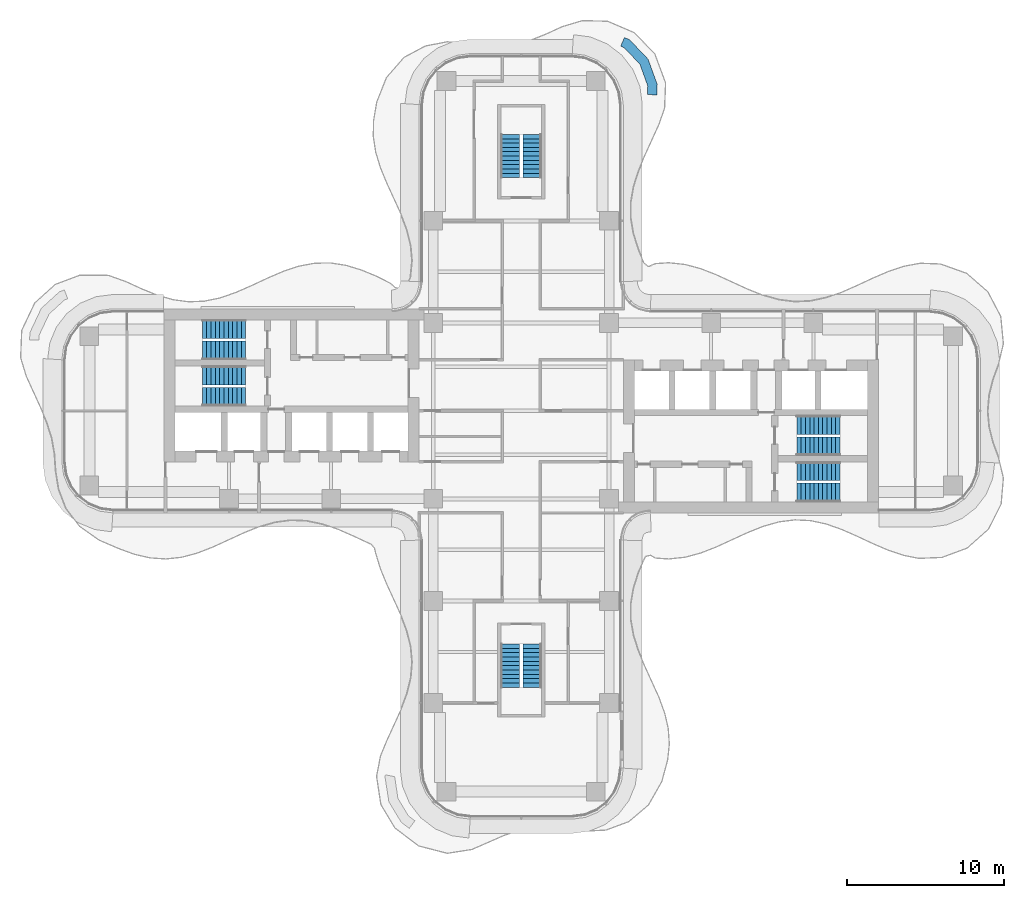
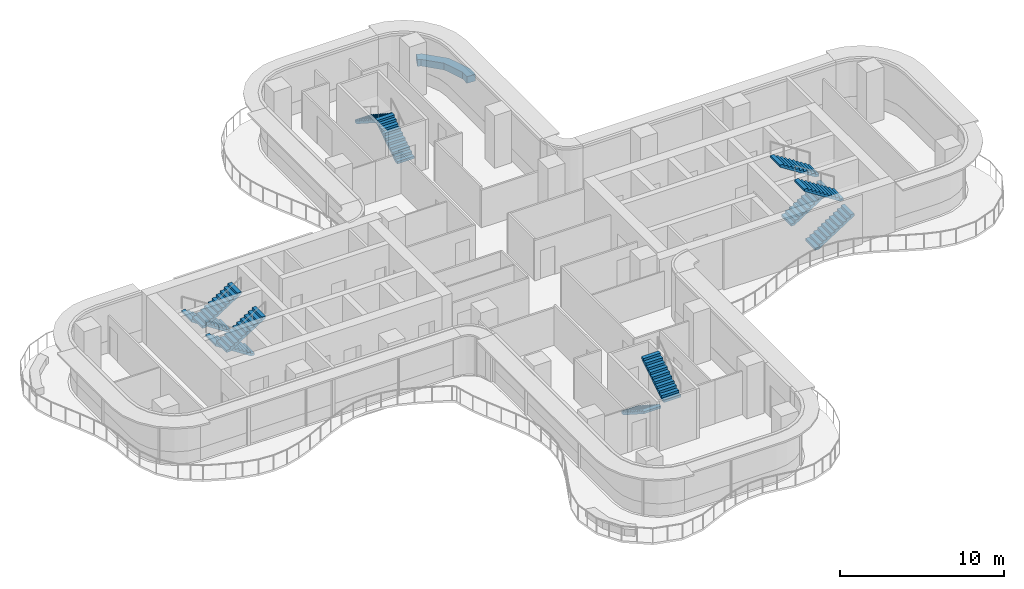
# One storey, part 16 of 18: 12 stair flights, 1 wall, 6 elements without a shape of their own.
"""IFC4 building model written with IfcOpenShell, lengths in metres."""

from ifc_helpers import new_model, si_unit, direction, frame, origin, place, context, subcontext, project, spatial, polyline, outline, extrude, source, transform, mapped, material, layer, layer_set, type_object, element, aggregate, save


model = new_model("IFC4")

# Units and contexts
model_context = context("Model", 3, precision=1e-05, world=origin(), true_north=direction((0.0, 1.0)))
body_context = subcontext(model_context, "Body", "Model", "MODEL_VIEW")
ifc_project = project(units=[si_unit("LENGTHUNIT", "METRE"), si_unit("AREAUNIT", "SQUARE_METRE"), si_unit("VOLUMEUNIT", "CUBIC_METRE"), si_unit("PLANEANGLEUNIT", "RADIAN"), si_unit("MASSUNIT", "GRAM", prefix="KILO")], contexts=[model_context])

# Site, building, storey
site_placement = place(None, origin())
site = spatial("IfcSite", under=ifc_project, at=site_placement, CompositionType="ELEMENT")
building_placement = place(site_placement, origin())
building = spatial("IfcBuilding", under=site, at=building_placement, Name="Trellis Farm Tower", CompositionType="ELEMENT")
storey_placement = place(building_placement, frame((0.0, 0.0, 201.0)))
storey = spatial("IfcBuildingStorey", under=building, at=storey_placement, Name="L44", CompositionType="ELEMENT", Elevation=201.0)

# Wall
ifc_material_1 = material(Name="Sandstone faced masonry planter", Category="masonry")
ifc_layer = layer(ifc_material_1, 0.60009765625)
ifc_layer_set = layer_set([ifc_layer], Name="PLANTER BED 600")
wall_type = type_object("IfcWallType", Name="PLANTER BED 600", PredefinedType="USERDEFINED", material=ifc_layer_set)
placement = place(storey_placement, origin())
element("IfcWall", 1, at=placement, inside=storey, type_object=wall_type, Name="PLANTER bed", ObjectType="PLANTER", PredefinedType="USERDEFINED", context=body_context, shape_type="SweptSolid", body=[
    extrude(outline(polyline([(6.90234375, 23.62890625), (8.08154296875, 22.391845703125), (8.663818359375, 20.77685546875), (8.63330078125, 20.114013671875), (8.0341796875, 20.1416015625), (8.05908203125, 20.685302734375), (7.56005859375, 22.0693359375), (6.551513671875, 23.12744140625), (6.335205078125, 23.221923828125), (6.575439453125, 23.771728515625), (6.90234375, 23.62890625)])), origin(), (0.0, 0.0, 1.0), 0.5),
])

# Stair, stair flights
ifc_material_2 = material(Name="Concrete C50/60", Category="concrete")
stair_type = type_object("IfcStairType", Name="CORE EXIT STAIR 22 RISERS 177 MM", PredefinedType="HALF_TURN_STAIR", material=ifc_material_2)
stair_1 = element("IfcStair", 2, at=placement, inside=storey, type_object=stair_type, Name="Exit stair N", PredefinedType="HALF_TURN_STAIR")
stair_flight_type = type_object("IfcStairFlightType", Name="STAIR FLIGHT 11 RISERS 177 MM", PredefinedType="STRAIGHT", material=ifc_material_2)
shared_shape = source(origin(), body_context, "Body", "SweptSolid", [
    extrude(outline(polyline([(0.0, 0.0), (0.0, 0.17724609375), (0.27490234375, 0.17724609375), (0.27490234375, 0.3544921875), (0.550048828125, 0.3544921875), (0.550048828125, 0.53173828125), (0.824951171875, 0.53173828125), (0.824951171875, 0.708984375), (1.10009765625, 0.708984375), (1.10009765625, 0.886474609375), (1.375, 0.886474609375), (1.375, 1.063720703125), (1.64990234375, 1.063720703125), (1.64990234375, 1.240966796875), (1.925048828125, 1.240966796875), (1.925048828125, 1.418212890625), (2.199951171875, 1.418212890625), (2.199951171875, 1.595458984375), (2.47509765625, 1.595458984375), (2.47509765625, 1.772705078125), (2.75, 1.772705078125), (2.75, 1.949951171875), (2.75, 1.6181640625), (0.23974609375, 0.0), (0.0, 0.0)])), frame((0.0, 0.60009765625, 0.0), z_axis=(0.0, -1.0, 0.0), x_axis=(1.0, 0.0, 0.0)), (0.0, 0.0, 1.0), 1.199951171875),
])
stair_flight_1_placement = place(storey_placement, frame((0.699951171875, 14.85009765625, 0.0), z_axis=(0.0, 0.0, 1.0), x_axis=(0.0, 1.0, 0.0)))
stair_flight_1 = element("IfcStairFlight", 3, at=stair_flight_1_placement, type_object=stair_flight_type, Name="STN flight 1", NumberOfRisers=11, NumberOfTreads=10, PredefinedType="STRAIGHT", RiserHeight=0.177272727, TreadLength=0.275, context=body_context, shape_type="MappedRepresentation", body=[
    mapped(shared_shape, transform((0.0, 0.0, 0.0))),
])
stair_flight_2_placement = place(storey_placement, frame((-0.699951171875, 17.60009765625, 1.949951171875), z_axis=(0.0, 0.0, 1.0), x_axis=(0.0, -1.0, 0.0)))
stair_flight_2 = element("IfcStairFlight", 4, at=stair_flight_2_placement, type_object=stair_flight_type, Name="STN flight 2", NumberOfRisers=11, NumberOfTreads=10, PredefinedType="STRAIGHT", RiserHeight=0.177272727, TreadLength=0.275, context=body_context, shape_type="MappedRepresentation", body=[
    mapped(shared_shape, transform((0.0, 0.0, 0.0))),
])
aggregate(stair_1, [stair_flight_1, stair_flight_2])

stair_2 = element("IfcStair", 5, at=placement, inside=storey, type_object=stair_type, Name="Exit stair S", PredefinedType="HALF_TURN_STAIR")
stair_flight_3_placement = place(storey_placement, frame((-0.699951171875, -14.85009765625, 0.0), z_axis=(0.0, 0.0, 1.0), x_axis=(0.0, -1.0, 0.0)))
stair_flight_3 = element("IfcStairFlight", 6, at=stair_flight_3_placement, type_object=stair_flight_type, Name="STS flight 1", NumberOfRisers=11, NumberOfTreads=10, PredefinedType="STRAIGHT", RiserHeight=0.177272727, TreadLength=0.275, context=body_context, shape_type="MappedRepresentation", body=[
    mapped(shared_shape, transform((0.0, 0.0, 0.0))),
])
stair_flight_4_placement = place(storey_placement, frame((0.699951171875, -17.60009765625, 1.949951171875), z_axis=(0.0, 0.0, 1.0), x_axis=(0.0, 1.0, 0.0)))
stair_flight_4 = element("IfcStairFlight", 7, at=stair_flight_4_placement, type_object=stair_flight_type, Name="STS flight 2", NumberOfRisers=11, NumberOfTreads=10, PredefinedType="STRAIGHT", RiserHeight=0.177272727, TreadLength=0.275, context=body_context, shape_type="MappedRepresentation", body=[
    mapped(shared_shape, transform((0.0, 0.0, 0.0))),
])
aggregate(stair_2, [stair_flight_3, stair_flight_4])

stair_3 = element("IfcStair", 8, at=placement, inside=storey, type_object=stair_type, Name="Exit stair E1", PredefinedType="HALF_TURN_STAIR")
stair_flight_5_placement = place(storey_placement, frame((17.550048828125, -5.199951171875, 0.0), z_axis=(0.0, 0.0, 1.0), x_axis=(1.0, 0.0, 0.0)))
stair_flight_5 = element("IfcStairFlight", 9, at=stair_flight_5_placement, type_object=stair_flight_type, Name="STE1 flight 1", NumberOfRisers=11, NumberOfTreads=10, PredefinedType="STRAIGHT", RiserHeight=0.177272727, TreadLength=0.275, context=body_context, shape_type="MappedRepresentation", body=[
    mapped(shared_shape, transform((0.0, 0.0, 0.0))),
])
stair_flight_6_placement = place(storey_placement, frame((20.300048828125, -3.85009765625, 1.949951171875), z_axis=(0.0, 0.0, 1.0), x_axis=(-1.0, 0.0, 0.0)))
stair_flight_6 = element("IfcStairFlight", 10, at=stair_flight_6_placement, type_object=stair_flight_type, Name="STE1 flight 2", NumberOfRisers=11, NumberOfTreads=10, PredefinedType="STRAIGHT", RiserHeight=0.177272727, TreadLength=0.275, context=body_context, shape_type="MappedRepresentation", body=[
    mapped(shared_shape, transform((0.0, 0.0, 0.0))),
])
aggregate(stair_3, [stair_flight_5, stair_flight_6])

stair_4 = element("IfcStair", 11, at=placement, inside=storey, type_object=stair_type, Name="Exit stair E2", PredefinedType="HALF_TURN_STAIR")
stair_flight_7_placement = place(storey_placement, frame((17.550048828125, -2.25, 0.0), z_axis=(0.0, 0.0, 1.0), x_axis=(1.0, 0.0, 0.0)))
stair_flight_7 = element("IfcStairFlight", 12, at=stair_flight_7_placement, type_object=stair_flight_type, Name="STE2 flight 1", NumberOfRisers=11, NumberOfTreads=10, PredefinedType="STRAIGHT", RiserHeight=0.177272727, TreadLength=0.275, context=body_context, shape_type="MappedRepresentation", body=[
    mapped(shared_shape, transform((0.0, 0.0, 0.0))),
])
stair_flight_8_placement = place(storey_placement, frame((20.300048828125, -0.89990234375, 1.949951171875), z_axis=(0.0, 0.0, 1.0), x_axis=(-1.0, 0.0, 0.0)))
stair_flight_8 = element("IfcStairFlight", 13, at=stair_flight_8_placement, type_object=stair_flight_type, Name="STE2 flight 2", NumberOfRisers=11, NumberOfTreads=10, PredefinedType="STRAIGHT", RiserHeight=0.177272727, TreadLength=0.275, context=body_context, shape_type="MappedRepresentation", body=[
    mapped(shared_shape, transform((0.0, 0.0, 0.0))),
])
aggregate(stair_4, [stair_flight_7, stair_flight_8])

stair_5 = element("IfcStair", 14, at=placement, inside=storey, type_object=stair_type, Name="Exit stair W1", PredefinedType="HALF_TURN_STAIR")
stair_flight_9_placement = place(storey_placement, frame((-17.550048828125, 5.199951171875, 0.0), z_axis=(0.0, 0.0, 1.0), x_axis=(-1.0, 0.0, 0.0)))
stair_flight_9 = element("IfcStairFlight", 15, at=stair_flight_9_placement, type_object=stair_flight_type, Name="STW1 flight 1", NumberOfRisers=11, NumberOfTreads=10, PredefinedType="STRAIGHT", RiserHeight=0.177272727, TreadLength=0.275, context=body_context, shape_type="MappedRepresentation", body=[
    mapped(shared_shape, transform((0.0, 0.0, 0.0))),
])
stair_flight_10_placement = place(storey_placement, frame((-20.300048828125, 3.85009765625, 1.949951171875), z_axis=(0.0, 0.0, 1.0), x_axis=(1.0, 0.0, 0.0)))
stair_flight_10 = element("IfcStairFlight", 16, at=stair_flight_10_placement, type_object=stair_flight_type, Name="STW1 flight 2", NumberOfRisers=11, NumberOfTreads=10, PredefinedType="STRAIGHT", RiserHeight=0.177272727, TreadLength=0.275, context=body_context, shape_type="MappedRepresentation", body=[
    mapped(shared_shape, transform((0.0, 0.0, 0.0))),
])
aggregate(stair_5, [stair_flight_9, stair_flight_10])

stair_6 = element("IfcStair", 17, at=placement, inside=storey, type_object=stair_type, Name="Exit stair W2", PredefinedType="HALF_TURN_STAIR")
stair_flight_11_placement = place(storey_placement, frame((-17.550048828125, 2.25, 0.0), z_axis=(0.0, 0.0, 1.0), x_axis=(-1.0, 0.0, 0.0)))
stair_flight_11 = element("IfcStairFlight", 18, at=stair_flight_11_placement, type_object=stair_flight_type, Name="STW2 flight 1", NumberOfRisers=11, NumberOfTreads=10, PredefinedType="STRAIGHT", RiserHeight=0.177272727, TreadLength=0.275, context=body_context, shape_type="MappedRepresentation", body=[
    mapped(shared_shape, transform((0.0, 0.0, 0.0))),
])
stair_flight_12_placement = place(storey_placement, frame((-20.300048828125, 0.89990234375, 1.949951171875), z_axis=(0.0, 0.0, 1.0), x_axis=(1.0, 0.0, 0.0)))
stair_flight_12 = element("IfcStairFlight", 19, at=stair_flight_12_placement, type_object=stair_flight_type, Name="STW2 flight 2", NumberOfRisers=11, NumberOfTreads=10, PredefinedType="STRAIGHT", RiserHeight=0.177272727, TreadLength=0.275, context=body_context, shape_type="MappedRepresentation", body=[
    mapped(shared_shape, transform((0.0, 0.0, 0.0))),
])
aggregate(stair_6, [stair_flight_11, stair_flight_12])

save(model, "model.ifc")
